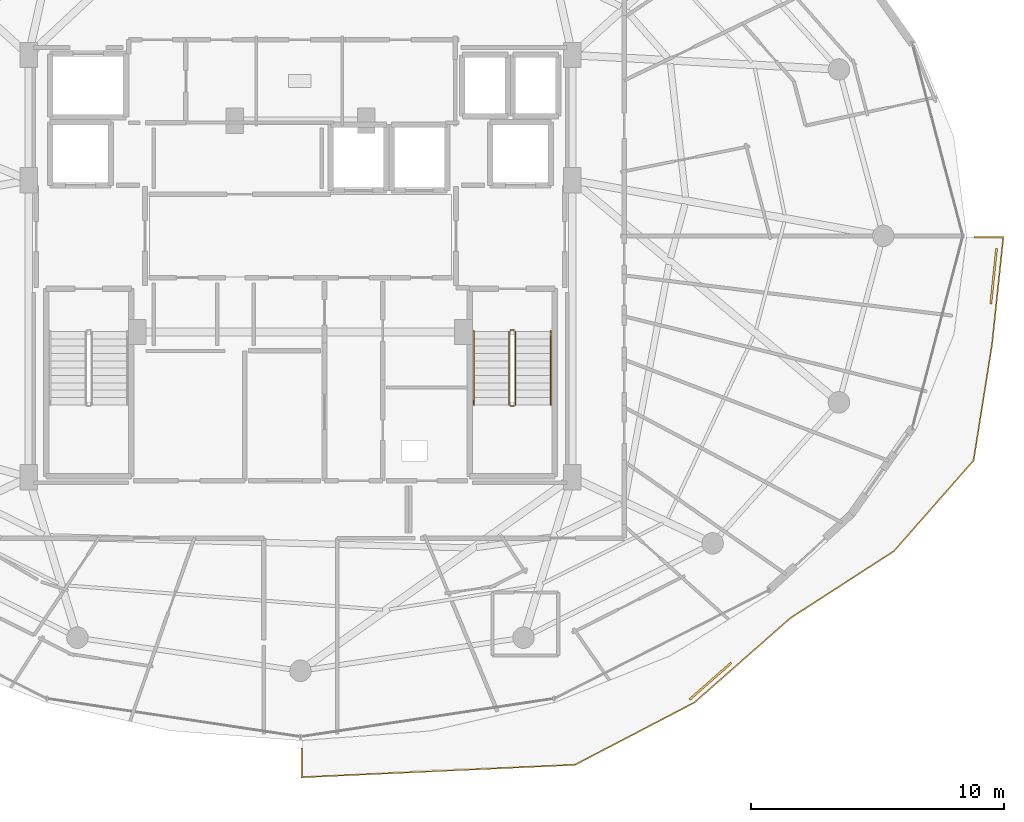
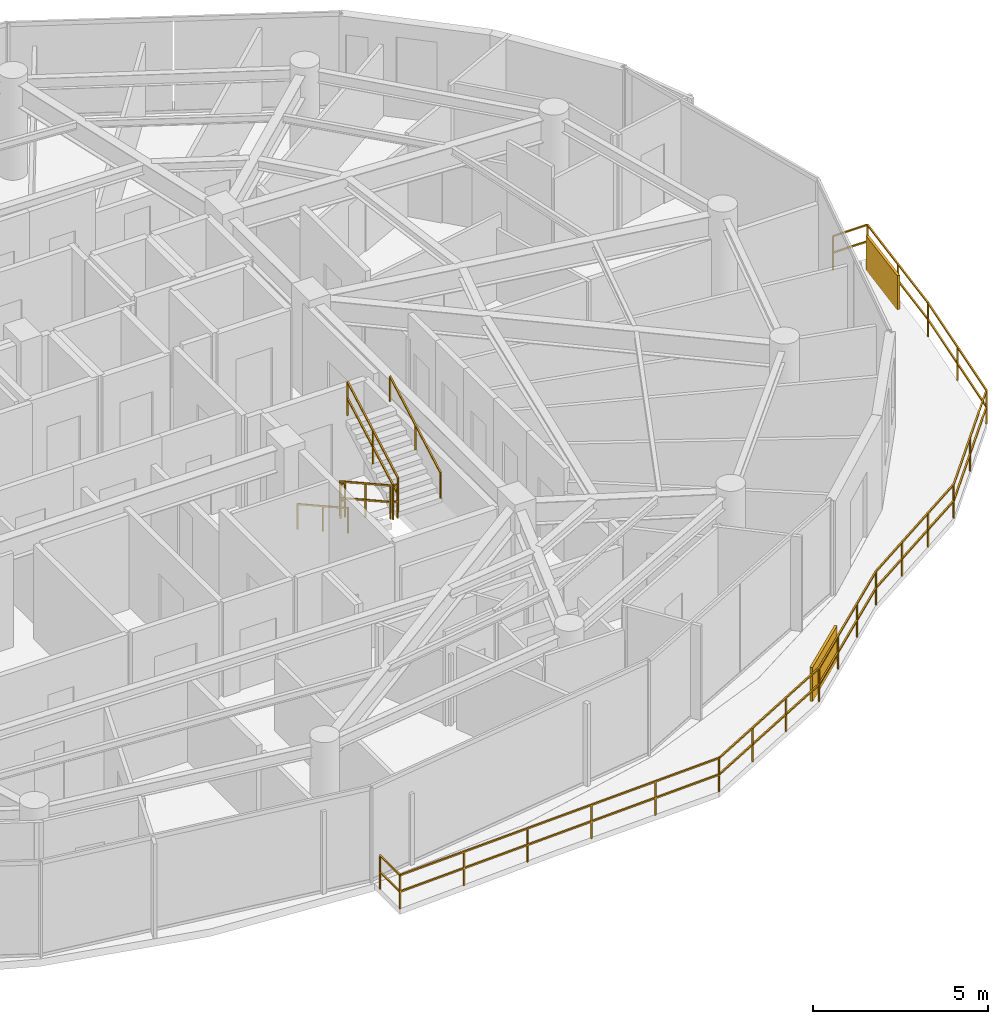
# One storey, part 27 of 29: 8 railings, 2 shading devices.
"""IFC4 building model written with IfcOpenShell, lengths in metres."""

from ifc_helpers import new_model, si_unit, direction, frame, origin, origin_2d, place, context, subcontext, project, spatial, rectangle, extrude, material, type_object, element, save


model = new_model("IFC4")

# Units and contexts
model_context = context("Model", 3, precision=1e-05, world=origin(), true_north=direction((0.0, 1.0)))
body_context = subcontext(model_context, "Body", "Model", "MODEL_VIEW")
ifc_project = project(units=[si_unit("LENGTHUNIT", "METRE"), si_unit("AREAUNIT", "SQUARE_METRE"), si_unit("VOLUMEUNIT", "CUBIC_METRE"), si_unit("PLANEANGLEUNIT", "RADIAN"), si_unit("MASSUNIT", "GRAM", prefix="KILO")], contexts=[model_context])

# Site, building, storey
site_placement = place(None, origin())
site = spatial("IfcSite", under=ifc_project, at=site_placement, CompositionType="ELEMENT")
building_placement = place(site_placement, origin())
building = spatial("IfcBuilding", under=site, at=building_placement, Name="Vorneva Point Tower", CompositionType="ELEMENT")
storey_placement = place(building_placement, frame((0.0, 0.0, 255.550048828125)))
storey = spatial("IfcBuildingStorey", under=building, at=storey_placement, Name="L69", CompositionType="ELEMENT", Elevation=255.550048828125)

# Railings
ifc_material_1 = material(Name="Pale anodised aluminium", Category="aluminium")
railing_type_1 = type_object("IfcRailingType", Name="RL-BAL-1200", PredefinedType="BALUSTRADE", material=ifc_material_1)
railing_1_placement = place(storey_placement, frame((65.353515625, 21.70947265625, 0.0)))
element("IfcRailing", 1, at=railing_1_placement, inside=storey, type_object=railing_type_1, Name="L69 Wave Balcony Balustrade SE.1", PredefinedType="BALUSTRADE", context=body_context, shape_type="SweptSolid", body=[
    extrude(rectangle(XDim=0.048095703125, YDim=0.048095703125, at=origin_2d()), frame((0.0, 0.0, 1.17578125), z_axis=(0.104666901304, 0.994507335202, 0.0), x_axis=(-0.994507335202, 0.104666901304, 0.0)), (0.0, 0.0, 1.0), 4.263916015625),
    extrude(rectangle(XDim=0.048095703125, YDim=0.048095703125, at=origin_2d()), frame((0.0, 0.0, 0.60009765625), z_axis=(0.104666901304, 0.994507335202, 0.0), x_axis=(-0.994507335202, 0.104666901304, 0.0)), (0.0, 0.0, 1.0), 4.263916015625),
    extrude(rectangle(XDim=0.048095703125, YDim=0.048095703125, at=origin_2d()), frame((0.4462890625, 4.240478515625, 1.17578125), z_axis=(-1.0, 0.0, 0.0), x_axis=(0.0, -1.0, 0.0)), (0.0, 0.0, 1.0), 1.133544921875),
    extrude(rectangle(XDim=0.048095703125, YDim=0.048095703125, at=origin_2d()), frame((0.4462890625, 4.240478515625, 0.60009765625), z_axis=(-1.0, 0.0, 0.0), x_axis=(0.0, -1.0, 0.0)), (0.0, 0.0, 1.0), 1.133544921875),
    extrude(rectangle(XDim=0.0419921875, YDim=0.0419921875, at=origin_2d()), origin(), (0.0, 0.0, 1.0), 1.15185546875),
    extrude(rectangle(XDim=0.0419921875, YDim=0.0419921875, at=origin_2d()), frame((0.22314453125, 2.1201171875, 0.0)), (0.0, 0.0, 1.0), 1.15185546875),
    extrude(rectangle(XDim=0.0419921875, YDim=0.0419921875, at=origin_2d()), frame((0.4462890625, 4.240478515625, 0.0)), (0.0, 0.0, 1.0), 1.15185546875),
    extrude(rectangle(XDim=0.0419921875, YDim=0.0419921875, at=origin_2d()), frame((-0.687255859375, 4.240478515625, 0.0)), (0.0, 0.0, 1.0), 1.15185546875),
])
railing_2_placement = place(storey_placement, frame((38.050048828125, 5.722900390625, 0.0)))
element("IfcRailing", 2, at=railing_2_placement, inside=storey, type_object=railing_type_1, Name="L69 Wave Balcony Balustrade SE.2", PredefinedType="BALUSTRADE", context=body_context, shape_type="SweptSolid", body=[
    extrude(rectangle(XDim=0.048095703125, YDim=0.048095703125, at=origin_2d()), frame((0.0, 0.0, 1.17578125), z_axis=(0.0, -1.0, 0.0), x_axis=(1.0, 0.0, 0.0)), (0.0, 0.0, 1.0), 1.13525390625),
    extrude(rectangle(XDim=0.048095703125, YDim=0.048095703125, at=origin_2d()), frame((0.0, 0.0, 0.60009765625), z_axis=(0.0, -1.0, 0.0), x_axis=(1.0, 0.0, 0.0)), (0.0, 0.0, 1.0), 1.13525390625),
    extrude(rectangle(XDim=0.048095703125, YDim=0.048095703125, at=origin_2d()), frame((0.0, -1.13525390625, 1.17578125), z_axis=(0.998957066203, 0.045659389865, 0.0), x_axis=(-0.045659389865, 0.998957066203, 0.0)), (0.0, 0.0, 1.0), 10.822265625),
    extrude(rectangle(XDim=0.048095703125, YDim=0.048095703125, at=origin_2d()), frame((0.0, -1.13525390625, 0.60009765625), z_axis=(0.998957066203, 0.045659389865, 0.0), x_axis=(-0.045659389865, 0.998957066203, 0.0)), (0.0, 0.0, 1.0), 10.822265625),
    extrude(rectangle(XDim=0.048095703125, YDim=0.048095703125, at=origin_2d()), frame((10.81103515625, -0.64111328125, 1.17578125), z_axis=(0.88676959211, 0.462211737744, 0.0), x_axis=(-0.462211737744, 0.88676959211, 0.0)), (0.0, 0.0, 1.0), 5.3232421875),
    extrude(rectangle(XDim=0.048095703125, YDim=0.048095703125, at=origin_2d()), frame((10.81103515625, -0.64111328125, 0.60009765625), z_axis=(0.88676959211, 0.462211737744, 0.0), x_axis=(-0.462211737744, 0.88676959211, 0.0)), (0.0, 0.0, 1.0), 5.3232421875),
    extrude(rectangle(XDim=0.048095703125, YDim=0.048095703125, at=origin_2d()), frame((15.531494140625, 1.8193359375, 1.17578125), z_axis=(0.750846331225, 0.660476938951, 0.0), x_axis=(-0.660476938951, 0.750846331225, 0.0)), (0.0, 0.0, 1.0), 5.068115234375),
    extrude(rectangle(XDim=0.048095703125, YDim=0.048095703125, at=origin_2d()), frame((15.531494140625, 1.8193359375, 0.60009765625), z_axis=(0.750846331225, 0.660476938951, 0.0), x_axis=(-0.660476938951, 0.750846331225, 0.0)), (0.0, 0.0, 1.0), 5.068115234375),
    extrude(rectangle(XDim=0.048095703125, YDim=0.048095703125, at=origin_2d()), frame((19.3369140625, 5.166748046875, 1.17578125), z_axis=(0.839922649831, 0.542706128859, 0.0), x_axis=(-0.542706128859, 0.839922649831, 0.0)), (0.0, 0.0, 1.0), 4.8662109375),
    extrude(rectangle(XDim=0.048095703125, YDim=0.048095703125, at=origin_2d()), frame((19.3369140625, 5.166748046875, 0.60009765625), z_axis=(0.839922649831, 0.542706128859, 0.0), x_axis=(-0.542706128859, 0.839922649831, 0.0)), (0.0, 0.0, 1.0), 4.8662109375),
    extrude(rectangle(XDim=0.048095703125, YDim=0.048095703125, at=origin_2d()), frame((23.424072265625, 7.8076171875, 1.17578125), z_axis=(0.659854728007, 0.751393197951, 0.0), x_axis=(-0.751393197951, 0.659854728007, 0.0)), (0.0, 0.0, 1.0), 4.771484375),
    extrude(rectangle(XDim=0.048095703125, YDim=0.048095703125, at=origin_2d()), frame((23.424072265625, 7.8076171875, 0.60009765625), z_axis=(0.659854728007, 0.751393197951, 0.0), x_axis=(-0.751393197951, 0.659854728007, 0.0)), (0.0, 0.0, 1.0), 4.771484375),
    extrude(rectangle(XDim=0.048095703125, YDim=0.048095703125, at=origin_2d()), frame((26.572509765625, 11.392822265625, 1.17578125), z_axis=(0.157142970675, 0.987575863804, 0.0), x_axis=(-0.987575863804, 0.157142970675, 0.0)), (0.0, 0.0, 1.0), 4.651611328125),
    extrude(rectangle(XDim=0.048095703125, YDim=0.048095703125, at=origin_2d()), frame((26.572509765625, 11.392822265625, 0.60009765625), z_axis=(0.157142970675, 0.987575863804, 0.0), x_axis=(-0.987575863804, 0.157142970675, 0.0)), (0.0, 0.0, 1.0), 4.651611328125),
    extrude(rectangle(XDim=0.0419921875, YDim=0.0419921875, at=origin_2d()), origin(), (0.0, 0.0, 1.0), 1.15185546875),
    extrude(rectangle(XDim=0.0419921875, YDim=0.0419921875, at=origin_2d()), frame((0.0, -1.13525390625, 0.0)), (0.0, 0.0, 1.0), 1.15185546875),
    extrude(rectangle(XDim=0.0419921875, YDim=0.0419921875, at=origin_2d()), frame((2.162109375, -1.036376953125, 0.0)), (0.0, 0.0, 1.0), 1.15185546875),
    extrude(rectangle(XDim=0.0419921875, YDim=0.0419921875, at=origin_2d()), frame((4.324462890625, -0.9375, 0.0)), (0.0, 0.0, 1.0), 1.15185546875),
    extrude(rectangle(XDim=0.0419921875, YDim=0.0419921875, at=origin_2d()), frame((6.486572265625, -0.8388671875, 0.0)), (0.0, 0.0, 1.0), 1.15185546875),
    extrude(rectangle(XDim=0.0419921875, YDim=0.0419921875, at=origin_2d()), frame((8.64892578125, -0.739990234375, 0.0)), (0.0, 0.0, 1.0), 1.15185546875),
    extrude(rectangle(XDim=0.0419921875, YDim=0.0419921875, at=origin_2d()), frame((10.81103515625, -0.64111328125, 0.0)), (0.0, 0.0, 1.0), 1.15185546875),
    extrude(rectangle(XDim=0.0419921875, YDim=0.0419921875, at=origin_2d()), frame((12.384521484375, 0.178955078125, 0.0)), (0.0, 0.0, 1.0), 1.15185546875),
    extrude(rectangle(XDim=0.0419921875, YDim=0.0419921875, at=origin_2d()), frame((13.9580078125, 0.999267578125, 0.0)), (0.0, 0.0, 1.0), 1.15185546875),
    extrude(rectangle(XDim=0.0419921875, YDim=0.0419921875, at=origin_2d()), frame((15.531494140625, 1.8193359375, 0.0)), (0.0, 0.0, 1.0), 1.15185546875),
    extrude(rectangle(XDim=0.0419921875, YDim=0.0419921875, at=origin_2d()), frame((16.800048828125, 2.93505859375, 0.0)), (0.0, 0.0, 1.0), 1.15185546875),
    extrude(rectangle(XDim=0.0419921875, YDim=0.0419921875, at=origin_2d()), frame((18.068359375, 4.051025390625, 0.0)), (0.0, 0.0, 1.0), 1.15185546875),
    extrude(rectangle(XDim=0.0419921875, YDim=0.0419921875, at=origin_2d()), frame((19.3369140625, 5.166748046875, 0.0)), (0.0, 0.0, 1.0), 1.15185546875),
    extrude(rectangle(XDim=0.0419921875, YDim=0.0419921875, at=origin_2d()), frame((20.69921875, 6.047119140625, 0.0)), (0.0, 0.0, 1.0), 1.15185546875),
    extrude(rectangle(XDim=0.0419921875, YDim=0.0419921875, at=origin_2d()), frame((22.061767578125, 6.92724609375, 0.0)), (0.0, 0.0, 1.0), 1.15185546875),
    extrude(rectangle(XDim=0.0419921875, YDim=0.0419921875, at=origin_2d()), frame((23.424072265625, 7.8076171875, 0.0)), (0.0, 0.0, 1.0), 1.15185546875),
    extrude(rectangle(XDim=0.0419921875, YDim=0.0419921875, at=origin_2d()), frame((24.998291015625, 9.60009765625, 0.0)), (0.0, 0.0, 1.0), 1.15185546875),
    extrude(rectangle(XDim=0.0419921875, YDim=0.0419921875, at=origin_2d()), frame((26.572509765625, 11.392822265625, 0.0)), (0.0, 0.0, 1.0), 1.15185546875),
    extrude(rectangle(XDim=0.0419921875, YDim=0.0419921875, at=origin_2d()), frame((26.93798828125, 13.689697265625, 0.0)), (0.0, 0.0, 1.0), 1.15185546875),
    extrude(rectangle(XDim=0.0419921875, YDim=0.0419921875, at=origin_2d()), frame((27.303466796875, 15.986572265625, 0.0)), (0.0, 0.0, 1.0), 1.15185546875),
])
ifc_material_2 = material(Name="Brushed stainless steel S304", Category="steel")
railing_type_2 = type_object("IfcRailingType", Name="RL-HND-920", PredefinedType="HANDRAIL", material=ifc_material_2)
railing_3_placement = place(storey_placement, frame((44.85009765625, 22.219970703125, 0.161376953125)))
element("IfcRailing", 3, at=railing_3_placement, inside=storey, type_object=railing_type_2, Name="L69 ST2 stair handrail 1", PredefinedType="HANDRAIL", context=body_context, shape_type="SweptSolid", body=[
    extrude(rectangle(XDim=0.048095703125, YDim=0.048095703125, at=origin_2d()), frame((0.0, 0.0, 0.8759765625), z_axis=(0.0, -0.873841303929, 0.486211245805), x_axis=(1.0, 0.0, 0.0)), (0.0, 0.0, 1.0), 3.318603515625),
    extrude(rectangle(XDim=0.0419921875, YDim=0.0419921875, at=origin_2d()), origin(), (0.0, 0.0, 1.0), 0.851806640625),
    extrude(rectangle(XDim=0.0419921875, YDim=0.0419921875, at=origin_2d()), frame((0.0, -1.449951171875, 0.806640625)), (0.0, 0.0, 1.0), 0.851806640625),
    extrude(rectangle(XDim=0.0419921875, YDim=0.0419921875, at=origin_2d()), frame((0.0, -2.89990234375, 1.613525390625)), (0.0, 0.0, 1.0), 0.851806640625),
])
railing_4_placement = place(storey_placement, frame((47.89990234375, 19.320068359375, 1.936279296875)))
element("IfcRailing", 4, at=railing_4_placement, inside=storey, type_object=railing_type_2, Name="L69 ST2 stair handrail 2", PredefinedType="HANDRAIL", context=body_context, shape_type="SweptSolid", body=[
    extrude(rectangle(XDim=0.048095703125, YDim=0.048095703125, at=origin_2d()), frame((0.0, 0.0, 0.8759765625), z_axis=(0.0, 0.873810046276, 0.486267419253), x_axis=(-1.0, 0.0, 0.0)), (0.0, 0.0, 1.0), 3.318603515625),
    extrude(rectangle(XDim=0.0419921875, YDim=0.0419921875, at=origin_2d()), origin(), (0.0, 0.0, 1.0), 0.851806640625),
    extrude(rectangle(XDim=0.0419921875, YDim=0.0419921875, at=origin_2d()), frame((0.0, 1.449951171875, 0.806884765625)), (0.0, 0.0, 1.0), 0.851806640625),
    extrude(rectangle(XDim=0.0419921875, YDim=0.0419921875, at=origin_2d()), frame((0.0, 2.89990234375, 1.61376953125)), (0.0, 0.0, 1.0), 0.851806640625),
])
railing_type_3 = type_object("IfcRailingType", Name="RL-STG-1100", PredefinedType="GUARDRAIL", material=ifc_material_2)
railing_5_placement = place(storey_placement, frame((46.25, 22.219970703125, 0.161376953125)))
element("IfcRailing", 5, at=railing_5_placement, inside=storey, type_object=railing_type_3, Name="L69 ST2 stair guard 1", PredefinedType="GUARDRAIL", context=body_context, shape_type="SweptSolid", body=[
    extrude(rectangle(XDim=0.048095703125, YDim=0.048095703125, at=origin_2d()), frame((0.0, 0.0, 1.17578125), z_axis=(0.0, -0.873841303929, 0.486211245805), x_axis=(1.0, 0.0, 0.0)), (0.0, 0.0, 1.0), 3.318603515625),
    extrude(rectangle(XDim=0.048095703125, YDim=0.048095703125, at=origin_2d()), frame((0.0, 0.0, 0.60009765625), z_axis=(0.0, -0.873841303929, 0.486211245805), x_axis=(1.0, 0.0, 0.0)), (0.0, 0.0, 1.0), 3.318603515625),
    extrude(rectangle(XDim=0.0419921875, YDim=0.0419921875, at=origin_2d()), origin(), (0.0, 0.0, 1.0), 1.15185546875),
    extrude(rectangle(XDim=0.0419921875, YDim=0.0419921875, at=origin_2d()), frame((0.0, -1.449951171875, 0.806640625)), (0.0, 0.0, 1.0), 1.15185546875),
    extrude(rectangle(XDim=0.0419921875, YDim=0.0419921875, at=origin_2d()), frame((0.0, -2.89990234375, 1.613525390625)), (0.0, 0.0, 1.0), 1.15185546875),
])
railing_6_placement = place(storey_placement, frame((46.300048828125, 19.27001953125, 1.77490234375)))
element("IfcRailing", 6, at=railing_6_placement, inside=storey, type_object=railing_type_3, Name="L69 ST2 stair guard 2", PredefinedType="GUARDRAIL", context=body_context, shape_type="SweptSolid", body=[
    extrude(rectangle(XDim=0.048095703125, YDim=0.048095703125, at=origin_2d()), frame((0.0, 0.0, 1.17578125), z_axis=(1.0, 0.0, 0.0), x_axis=(0.0, 1.0, 0.0)), (0.0, 0.0, 1.0), 0.14990234375),
    extrude(rectangle(XDim=0.048095703125, YDim=0.048095703125, at=origin_2d()), frame((0.0, 0.0, 0.60009765625), z_axis=(1.0, 0.0, 0.0), x_axis=(0.0, 1.0, 0.0)), (0.0, 0.0, 1.0), 0.14990234375),
    extrude(rectangle(XDim=0.0419921875, YDim=0.0419921875, at=origin_2d()), origin(), (0.0, 0.0, 1.0), 1.15185546875),
    extrude(rectangle(XDim=0.0419921875, YDim=0.0419921875, at=origin_2d()), frame((0.14990234375, 0.0, 0.0)), (0.0, 0.0, 1.0), 1.15185546875),
])
railing_7_placement = place(storey_placement, frame((46.5, 19.320068359375, 1.936279296875)))
element("IfcRailing", 7, at=railing_7_placement, inside=storey, type_object=railing_type_3, Name="L69 ST2 stair guard 3", PredefinedType="GUARDRAIL", context=body_context, shape_type="SweptSolid", body=[
    extrude(rectangle(XDim=0.048095703125, YDim=0.048095703125, at=origin_2d()), frame((0.0, 0.0, 1.17578125), z_axis=(0.0, 0.873810046276, 0.486267419253), x_axis=(-1.0, 0.0, 0.0)), (0.0, 0.0, 1.0), 3.318603515625),
    extrude(rectangle(XDim=0.048095703125, YDim=0.048095703125, at=origin_2d()), frame((0.0, 0.0, 0.60009765625), z_axis=(0.0, 0.873810046276, 0.486267419253), x_axis=(-1.0, 0.0, 0.0)), (0.0, 0.0, 1.0), 3.318603515625),
    extrude(rectangle(XDim=0.0419921875, YDim=0.0419921875, at=origin_2d()), origin(), (0.0, 0.0, 1.0), 1.15185546875),
    extrude(rectangle(XDim=0.0419921875, YDim=0.0419921875, at=origin_2d()), frame((0.0, 1.449951171875, 0.806884765625)), (0.0, 0.0, 1.0), 1.15185546875),
    extrude(rectangle(XDim=0.0419921875, YDim=0.0419921875, at=origin_2d()), frame((0.0, 2.89990234375, 1.61376953125)), (0.0, 0.0, 1.0), 1.15185546875),
])
railing_8_placement = place(storey_placement, frame((46.300048828125, 22.27001953125, 0.0)))
element("IfcRailing", 8, at=railing_8_placement, inside=storey, type_object=railing_type_3, Name="L69 ST2 stair guard 4", PredefinedType="GUARDRAIL", context=body_context, shape_type="SweptSolid", body=[
    extrude(rectangle(XDim=0.048095703125, YDim=0.048095703125, at=origin_2d()), frame((0.0, 0.0, 1.17578125), z_axis=(1.0, 0.0, 0.0), x_axis=(0.0, 1.0, 0.0)), (0.0, 0.0, 1.0), 0.14990234375),
    extrude(rectangle(XDim=0.048095703125, YDim=0.048095703125, at=origin_2d()), frame((0.0, 0.0, 0.60009765625), z_axis=(1.0, 0.0, 0.0), x_axis=(0.0, 1.0, 0.0)), (0.0, 0.0, 1.0), 0.14990234375),
    extrude(rectangle(XDim=0.0419921875, YDim=0.0419921875, at=origin_2d()), origin(), (0.0, 0.0, 1.0), 1.15185546875),
    extrude(rectangle(XDim=0.0419921875, YDim=0.0419921875, at=origin_2d()), frame((0.14990234375, 0.0, 0.0)), (0.0, 0.0, 1.0), 1.15185546875),
])

# Shading devices
shading_device_type = type_object("IfcShadingDeviceType", Name="SHD-JAL-1200", PredefinedType="JALOUSIE", material=ifc_material_1)
for number, where, z_axis, x_axis, name in (
    (9, (65.416259765625, 24.40625, -0.02001953125), (0.0, 0.0, 1.0), (0.104615251277, 0.994512769752, 0.0), "L69 Balcony Vertical-Greenery Planter Screen SE.1"),
    (10, (54.2119140625, 8.3896484375, -0.02001953125), (0.0, 0.0, 1.0), (0.750837766406, 0.660486675519, 0.0), "L69 Balcony Vertical-Greenery Planter Screen SE.2"),
):
    element("IfcShadingDevice", number, at=place(storey_placement, frame(where, z_axis=z_axis, x_axis=x_axis)), inside=storey, type_object=shading_device_type, Name=name, PredefinedType="JALOUSIE", context=body_context, shape_type="SweptSolid", body=[
        extrude(rectangle(XDim=2.199951171875, YDim=0.080078125, at=origin_2d()), origin(), (0.0, 0.0, 1.0), 1.199951171875),
    ])

save(model, "model.ifc")
